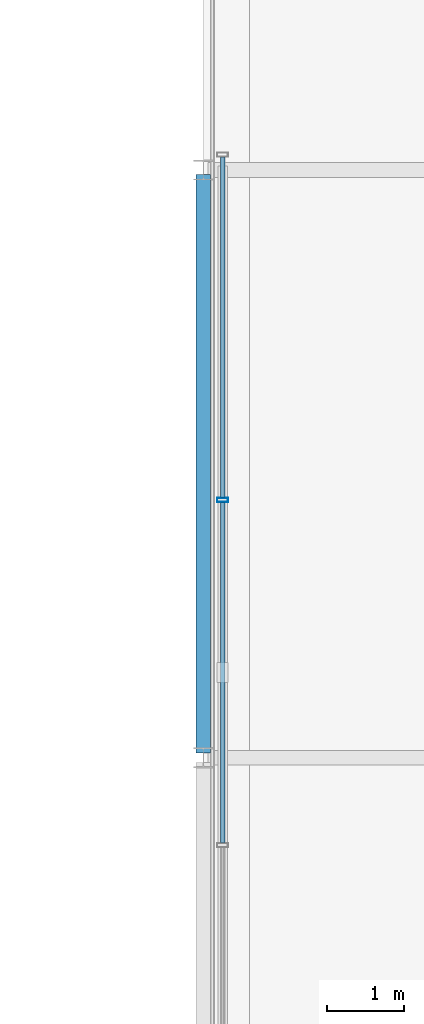
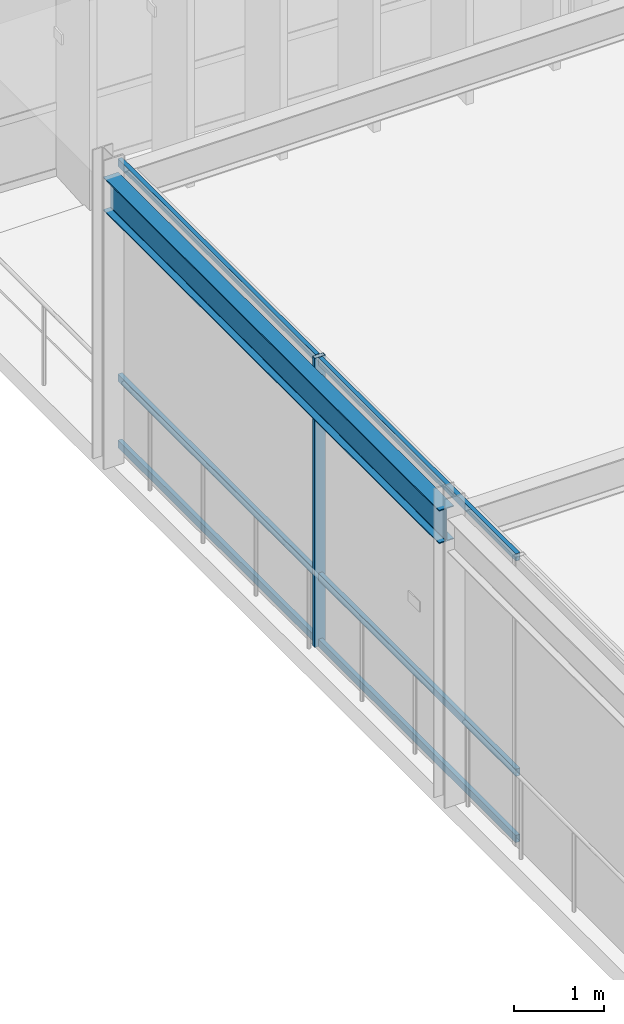
# One storey, part 35 of 152: 7 members, 1 beam, 1 element without a shape of its own.
"""IFC4 building model written with IfcOpenShell, lengths in metres."""

from ifc_helpers import new_model, si_unit, direction, frame, origin, origin_2d, place, context, subcontext, project, spatial, hollow_rectangle, i_section, extrude, material, material_profile, profile_set, type_object, element, aggregate, save


model = new_model("IFC4")

# Units and contexts
model_context = context("Model", 3, precision=1e-05, world=origin(), true_north=direction((0.0, 1.0)))
body_context = subcontext(model_context, "Body", "Model", "MODEL_VIEW")
ifc_project = project(units=[si_unit("LENGTHUNIT", "METRE"), si_unit("AREAUNIT", "SQUARE_METRE"), si_unit("VOLUMEUNIT", "CUBIC_METRE"), si_unit("PLANEANGLEUNIT", "RADIAN"), si_unit("MASSUNIT", "GRAM", prefix="KILO"), si_unit("THERMODYNAMICTEMPERATUREUNIT", "KELVIN"), si_unit("POWERUNIT", "WATT")], contexts=[model_context])

# Site, building, storey
site_placement = place(None, origin())
site = spatial("IfcSite", under=ifc_project, at=site_placement, CompositionType="ELEMENT")
building_placement = place(site_placement, origin())
building = spatial("IfcBuilding", under=site, at=building_placement, Name="Darbajah Civic Hall", CompositionType="ELEMENT")
storey_placement = place(building_placement, frame((0.0, 0.0, 5.39990234375)))
storey = spatial("IfcBuildingStorey", under=building, at=storey_placement, Name="L01", CompositionType="ELEMENT", Elevation=5.39990234375)

# Curtain wall, members
ifc_material_1 = material(Name="Anodised Bronze Aluminium and Low-E Glazing", Category="aluminium")
curtain_wall_type = type_object("IfcCurtainWallType", Name="Unitised Curtain Wall CW-104 13400x3950", PredefinedType="USERDEFINED", material=ifc_material_1)
curtain_wall_placement = place(storey_placement, origin())
curtain_wall = element("IfcCurtainWall", 1, at=curtain_wall_placement, inside=storey, type_object=curtain_wall_type, Name="L01 unitised curtain wall CW-V6-PW-L01", ObjectType="UNITISED CURTAIN WALL", PredefinedType="USERDEFINED")
ifc_material_2 = material(Name="Anodised Bronze Aluminium", Category="aluminium")
ifc_material_profile_1 = material_profile(ifc_material_2, hollow_rectangle(XDim=0.054931640625, YDim=0.139892578125, WallThickness=0.003173828125, at=origin_2d()), Name="ALU MULLION 55x140")
ifc_profile_set_1 = profile_set([ifc_material_profile_1], Name="Anodised Bronze Aluminium")
member_type_1 = type_object("IfcMemberType", Name="ALU MULLION 55x140", PredefinedType="MULLION", material=ifc_profile_set_1)
member_1_placement = place(storey_placement, frame((84.25, 51.333251953125, 0.0), z_axis=(0.0, 0.0, 1.0), x_axis=(0.0, 1.0, 0.0)))
member_1 = element("IfcMember", 2, at=member_1_placement, type_object=member_type_1, Name="CW-V6-PW-L01 mullion 3", PredefinedType="MULLION", context=body_context, shape_type="SweptSolid", body=[
    extrude(hollow_rectangle(XDim=0.054931640625, YDim=0.139892578125, WallThickness=0.003173828125, at=origin_2d()), origin(), (0.0, 0.0, 1.0), 3.93017578125),
])
ifc_material_profile_2 = material_profile(ifc_material_2, hollow_rectangle(XDim=0.054931640625, YDim=0.10009765625, WallThickness=0.0029296875, at=origin_2d()), Name="ALU TRANSOM 55x100")
ifc_profile_set_2 = profile_set([ifc_material_profile_2], Name="Anodised Bronze Aluminium")
member_type_2 = type_object("IfcMemberType", Name="ALU TRANSOM 55x100", PredefinedType="USERDEFINED", material=ifc_profile_set_2)
member_2_placement = place(storey_placement, frame((84.25, 46.899169921875, 0.050048828125), z_axis=(0.0, 1.0, 0.0), x_axis=(-1.0, 0.0, 0.0)))
member_2 = element("IfcMember", 3, at=member_2_placement, type_object=member_type_2, Name="CW-V6-PW-L01 transom 2.1", ObjectType="TRANSOM", PredefinedType="USERDEFINED", context=body_context, shape_type="SweptSolid", body=[
    extrude(hollow_rectangle(XDim=0.054931640625, YDim=0.10009765625, WallThickness=0.0029296875, at=origin_2d()), origin(), (0.0, 0.0, 1.0), 4.401611328125),
])
member_3_placement = place(storey_placement, frame((84.25, 46.899169921875, 0.9501953125), z_axis=(0.0, 1.0, 0.0), x_axis=(-1.0, 0.0, 0.0)))
member_3 = element("IfcMember", 4, at=member_3_placement, type_object=member_type_2, Name="CW-V6-PW-L01 transom 2.2", ObjectType="TRANSOM", PredefinedType="USERDEFINED", context=body_context, shape_type="SweptSolid", body=[
    extrude(hollow_rectangle(XDim=0.054931640625, YDim=0.10009765625, WallThickness=0.0029296875, at=origin_2d()), origin(), (0.0, 0.0, 1.0), 4.401611328125),
])
member_4_placement = place(storey_placement, frame((84.25, 46.899169921875, 3.880126953125), z_axis=(0.0, 1.0, 0.0), x_axis=(-1.0, 0.0, 0.0)))
member_4 = element("IfcMember", 5, at=member_4_placement, type_object=member_type_2, Name="CW-V6-PW-L01 transom 2.3", ObjectType="TRANSOM", PredefinedType="USERDEFINED", context=body_context, shape_type="SweptSolid", body=[
    extrude(hollow_rectangle(XDim=0.054931640625, YDim=0.10009765625, WallThickness=0.0029296875, at=origin_2d()), origin(), (0.0, 0.0, 1.0), 4.401611328125),
])
member_5_placement = place(storey_placement, frame((84.25, 51.36572265625, 0.050048828125), z_axis=(0.0, 1.0, 0.0), x_axis=(-1.0, 0.0, 0.0)))
member_5 = element("IfcMember", 6, at=member_5_placement, type_object=member_type_2, Name="CW-V6-PW-L01 transom 3.1", ObjectType="TRANSOM", PredefinedType="USERDEFINED", context=body_context, shape_type="SweptSolid", body=[
    extrude(hollow_rectangle(XDim=0.054931640625, YDim=0.10009765625, WallThickness=0.0029296875, at=origin_2d()), origin(), (0.0, 0.0, 1.0), 4.40185546875),
])
member_6_placement = place(storey_placement, frame((84.25, 51.36572265625, 0.9501953125), z_axis=(0.0, 1.0, 0.0), x_axis=(-1.0, 0.0, 0.0)))
member_6 = element("IfcMember", 7, at=member_6_placement, type_object=member_type_2, Name="CW-V6-PW-L01 transom 3.2", ObjectType="TRANSOM", PredefinedType="USERDEFINED", context=body_context, shape_type="SweptSolid", body=[
    extrude(hollow_rectangle(XDim=0.054931640625, YDim=0.10009765625, WallThickness=0.0029296875, at=origin_2d()), origin(), (0.0, 0.0, 1.0), 4.40185546875),
])
member_7_placement = place(storey_placement, frame((84.25, 51.36572265625, 3.880126953125), z_axis=(0.0, 1.0, 0.0), x_axis=(-1.0, 0.0, 0.0)))
member_7 = element("IfcMember", 8, at=member_7_placement, type_object=member_type_2, Name="CW-V6-PW-L01 transom 3.3", ObjectType="TRANSOM", PredefinedType="USERDEFINED", context=body_context, shape_type="SweptSolid", body=[
    extrude(hollow_rectangle(XDim=0.054931640625, YDim=0.10009765625, WallThickness=0.0029296875, at=origin_2d()), origin(), (0.0, 0.0, 1.0), 4.40185546875),
])
aggregate(curtain_wall, [member_1, member_2, member_3, member_4, member_5, member_6, member_7])

# Beam
ifc_material_3 = material(Name="Steel S355JR", Category="steel")
ifc_material_profile_3 = material_profile(ifc_material_3, i_section(OverallWidth=0.1904296875, OverallDepth=0.45703125, WebThickness=0.009033203125, FlangeThickness=0.014404296875, FilletRadius=0.01025390625, at=origin_2d()), Name="UB 457x191x74")
ifc_profile_set_3 = profile_set([ifc_material_profile_3], Name="Steel S355JR")
beam_type = type_object("IfcBeamType", Name="UB 457x191x74", PredefinedType="BEAM", material=ifc_profile_set_3)
beam_placement = place(storey_placement, frame((84.0, 48.06005859375, 3.70166015625), z_axis=(0.0, 1.0, 0.0), x_axis=(-1.0, 0.0, 0.0)))
element("IfcBeam", 9, at=beam_placement, inside=storey, type_object=beam_type, Name="L01 beam SB-457", PredefinedType="BEAM", context=body_context, shape_type="SweptSolid", body=[
    extrude(i_section(OverallWidth=0.1904296875, OverallDepth=0.45703125, WebThickness=0.009033203125, FlangeThickness=0.014404296875, FilletRadius=0.01025390625, at=origin_2d()), origin(), (0.0, 0.0, 1.0), 7.47998046875),
])

save(model, "model.ifc")
